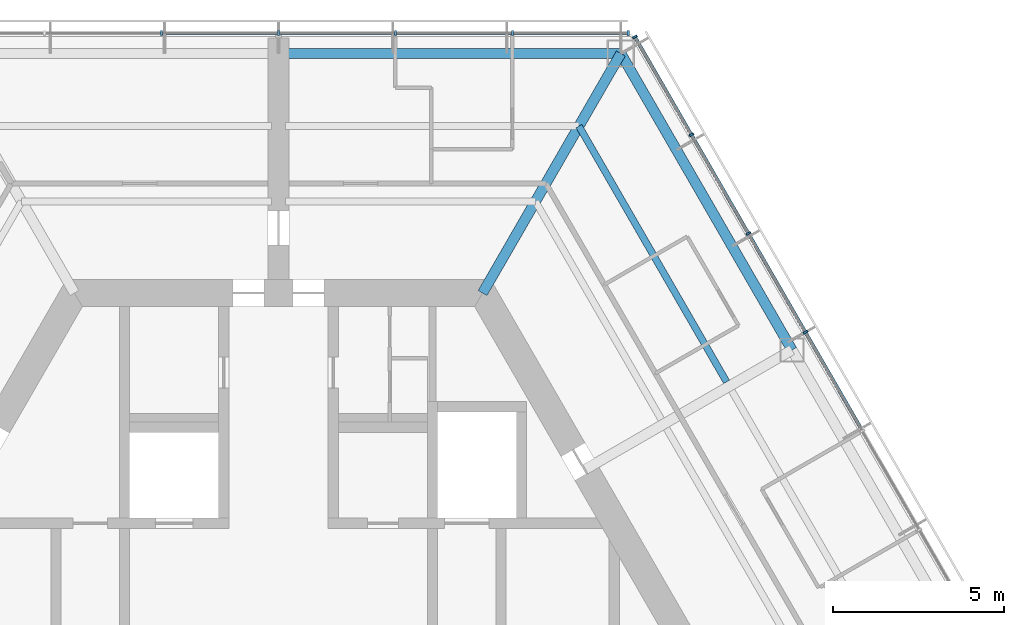
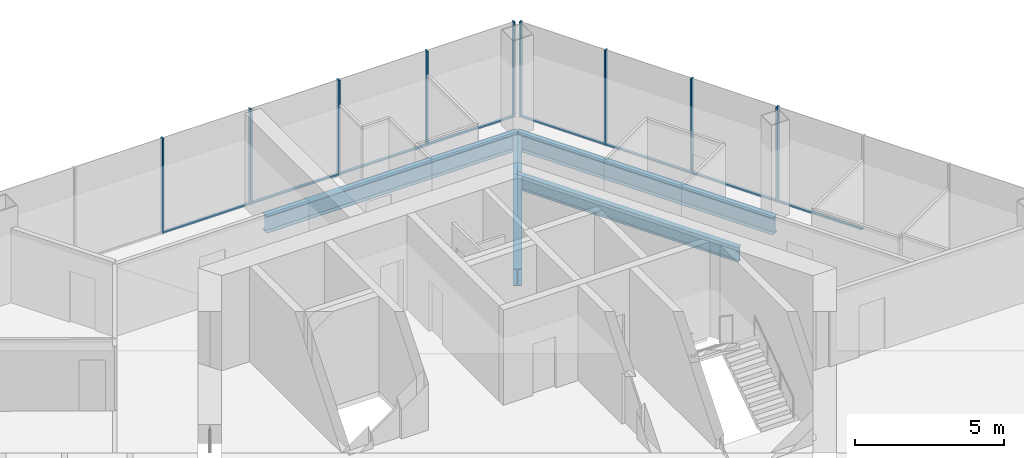
# One storey, part 7 of 17: 17 members, 4 beams, 2 elements without a shape of their own.
"""IFC4 building model written with IfcOpenShell, lengths in metres."""

from ifc_helpers import new_model, si_unit, direction, frame, origin, origin_2d, place, context, subcontext, project, spatial, rectangle, i_section, extrude, material, material_profile, profile_set, type_object, element, aggregate, save


model = new_model("IFC4")

# Units and contexts
model_context = context("Model", 3, precision=1e-05, world=origin(), true_north=direction((0.0, 1.0)))
body_context = subcontext(model_context, "Body", "Model", "MODEL_VIEW")
ifc_project = project(units=[si_unit("LENGTHUNIT", "METRE"), si_unit("AREAUNIT", "SQUARE_METRE"), si_unit("VOLUMEUNIT", "CUBIC_METRE"), si_unit("PLANEANGLEUNIT", "RADIAN"), si_unit("MASSUNIT", "GRAM", prefix="KILO")], contexts=[model_context])

# Site, building, storey
site_placement = place(None, origin())
site = spatial("IfcSite", under=ifc_project, at=site_placement, CompositionType="ELEMENT")
building_placement = place(site_placement, origin())
building = spatial("IfcBuilding", under=site, at=building_placement, Name="Kasaneha Research Tower", CompositionType="ELEMENT")
storey_placement = place(building_placement, frame((0.0, 0.0, 228.39990234375)))
storey = spatial("IfcBuildingStorey", under=building, at=storey_placement, Name="L57", CompositionType="ELEMENT", Elevation=228.39990234375)

# Beam
ifc_material_1 = material(Name="Steel SN490B", Category="steel")
ifc_material_profile_1 = material_profile(ifc_material_1, i_section(OverallWidth=0.199951171875, OverallDepth=0.60009765625, WebThickness=0.010986328125, FlangeThickness=0.01708984375, FilletRadius=0.012939453125, at=origin_2d()), Name="H-600x200x11x17")
ifc_profile_set_1 = profile_set([ifc_material_profile_1], Name="Steel SN490B")
beam_type_1 = type_object("IfcBeamType", Name="B1-3 secondary beam H-600x200x11x17", PredefinedType="JOIST", material=ifc_profile_set_1)
beam_1_placement = place(storey_placement, frame((8.775634765625, 15.199951171875, -0.449951171875), z_axis=(0.500017275495, -0.866015429543, 0.0), x_axis=(0.866015429543, 0.500017275495, 0.0)))
element("IfcBeam", 1, at=beam_1_placement, inside=storey, type_object=beam_type_1, Name="Secondary beam RS030R2 L57", PredefinedType="JOIST", context=body_context, shape_type="SweptSolid", body=[
    extrude(i_section(OverallWidth=0.199951171875, OverallDepth=0.60009765625, WebThickness=0.010986328125, FlangeThickness=0.01708984375, FilletRadius=0.012939453125, at=origin_2d()), origin(), (0.0, 0.0, 1.0), 8.625732421875),
])

# Curtain wall, members
ifc_material_2 = material(Name="Glass and aluminium", Category="aluminium")
curtain_wall_type = type_object("IfcCurtainWallType", Name="High-rise office curtain wall", PredefinedType="USERDEFINED", material=ifc_material_2)
curtain_wall_1_placement = place(storey_placement, origin())
curtain_wall_1 = element("IfcCurtainWall", 2, at=curtain_wall_1_placement, inside=storey, type_object=curtain_wall_type, Name="CW-O3 L57 run 01a", ObjectType="UNITISED CURTAIN WALL", PredefinedType="USERDEFINED")
ifc_material_3 = material(Name="Aluminium 6063-T6", Category="aluminium")
ifc_material_profile_2 = material_profile(ifc_material_3, rectangle(XDim=0.06005859375, YDim=0.139892578125, at=origin_2d()), Name="CW-O3 mullion 60x140")
ifc_profile_set_2 = profile_set([ifc_material_profile_2], Name="Aluminium 6063-T6")
member_type_1 = type_object("IfcMemberType", Name="CW-O3 mullion", PredefinedType="MULLION", material=ifc_profile_set_2)
member_1_placement = place(storey_placement, frame((15.392822265625, 9.179931640625, 0.0), z_axis=(0.0, 0.0, 1.0), x_axis=(-0.499999979232, 0.866025415775, 0.0)))
member_1 = element("IfcMember", 3, at=member_1_placement, type_object=member_type_1, Name="CW-O3 mullion 4", PredefinedType="MULLION", context=body_context, shape_type="SweptSolid", body=[
    extrude(rectangle(XDim=0.06005859375, YDim=0.139892578125, at=origin_2d()), origin(), (0.0, 0.0, 1.0), 3.900146484375),
])
member_2_placement = place(storey_placement, frame((13.727294921875, 12.064453125, 0.0), z_axis=(0.0, 0.0, 1.0), x_axis=(-0.499999979232, 0.866025415775, 0.0)))
member_2 = element("IfcMember", 4, at=member_2_placement, type_object=member_type_1, Name="CW-O3 mullion 5", PredefinedType="MULLION", context=body_context, shape_type="SweptSolid", body=[
    extrude(rectangle(XDim=0.06005859375, YDim=0.139892578125, at=origin_2d()), origin(), (0.0, 0.0, 1.0), 3.900146484375),
])
member_3_placement = place(storey_placement, frame((12.061767578125, 14.94921875, 0.0), z_axis=(0.0, 0.0, 1.0), x_axis=(-0.499999979232, 0.866025415775, 0.0)))
member_3 = element("IfcMember", 5, at=member_3_placement, type_object=member_type_1, Name="CW-O3 mullion 6", PredefinedType="MULLION", context=body_context, shape_type="SweptSolid", body=[
    extrude(rectangle(XDim=0.06005859375, YDim=0.139892578125, at=origin_2d()), origin(), (0.0, 0.0, 1.0), 3.900146484375),
])
member_4_placement = place(storey_placement, frame((10.411376953125, 17.807861328125, 0.0), z_axis=(0.0, 0.0, 1.0), x_axis=(-0.499999979232, 0.866025415775, 0.0)))
member_4 = element("IfcMember", 6, at=member_4_placement, type_object=member_type_1, Name="CW-O3 mullion 7", PredefinedType="MULLION", context=body_context, shape_type="SweptSolid", body=[
    extrude(rectangle(XDim=0.06005859375, YDim=0.139892578125, at=origin_2d()), origin(), (0.0, 0.0, 1.0), 3.900146484375),
])

curtain_wall_2_placement = place(storey_placement, origin())
curtain_wall_2 = element("IfcCurtainWall", 7, at=curtain_wall_2_placement, inside=storey, type_object=curtain_wall_type, Name="CW-O3 L57 run 02a", ObjectType="UNITISED CURTAIN WALL", PredefinedType="USERDEFINED")
member_5_placement = place(storey_placement, frame((10.21630859375, 17.92041015625, 0.0), z_axis=(0.0, 0.0, 1.0), x_axis=(-1.0, 0.0, 0.0)))
member_5 = element("IfcMember", 8, at=member_5_placement, type_object=member_type_1, Name="CW-O3 mullion 1", PredefinedType="MULLION", context=body_context, shape_type="SweptSolid", body=[
    extrude(rectangle(XDim=0.06005859375, YDim=0.139892578125, at=origin_2d()), origin(), (0.0, 0.0, 1.0), 3.900146484375),
])
member_6_placement = place(storey_placement, frame((6.8310546875, 17.92041015625, 0.0), z_axis=(0.0, 0.0, 1.0), x_axis=(-1.0, 0.0, 0.0)))
member_6 = element("IfcMember", 9, at=member_6_placement, type_object=member_type_1, Name="CW-O3 mullion 2", PredefinedType="MULLION", context=body_context, shape_type="SweptSolid", body=[
    extrude(rectangle(XDim=0.06005859375, YDim=0.139892578125, at=origin_2d()), origin(), (0.0, 0.0, 1.0), 3.900146484375),
])
member_7_placement = place(storey_placement, frame((3.41552734375, 17.92041015625, 0.0), z_axis=(0.0, 0.0, 1.0), x_axis=(-1.0, 0.0, 0.0)))
member_7 = element("IfcMember", 10, at=member_7_placement, type_object=member_type_1, Name="CW-O3 mullion 3", PredefinedType="MULLION", context=body_context, shape_type="SweptSolid", body=[
    extrude(rectangle(XDim=0.06005859375, YDim=0.139892578125, at=origin_2d()), origin(), (0.0, 0.0, 1.0), 3.900146484375),
])
member_8_placement = place(storey_placement, frame((0.0, 17.92041015625, 0.0), z_axis=(0.0, 0.0, 1.0), x_axis=(-1.0, 0.0, 0.0)))
member_8 = element("IfcMember", 11, at=member_8_placement, type_object=member_type_1, Name="CW-O3 mullion 4", PredefinedType="MULLION", context=body_context, shape_type="SweptSolid", body=[
    extrude(rectangle(XDim=0.06005859375, YDim=0.139892578125, at=origin_2d()), origin(), (0.0, 0.0, 1.0), 3.900146484375),
])
member_9_placement = place(storey_placement, frame((-3.41552734375, 17.92041015625, 0.0), z_axis=(0.0, 0.0, 1.0), x_axis=(-1.0, 0.0, 0.0)))
member_9 = element("IfcMember", 12, at=member_9_placement, type_object=member_type_1, Name="CW-O3 mullion 5", PredefinedType="MULLION", context=body_context, shape_type="SweptSolid", body=[
    extrude(rectangle(XDim=0.06005859375, YDim=0.139892578125, at=origin_2d()), origin(), (0.0, 0.0, 1.0), 3.900146484375),
])

# Member
ifc_material_4 = material(Name="Aluminium 6063-T6", Category="aluminium")
ifc_material_profile_3 = material_profile(ifc_material_4, rectangle(XDim=0.10009765625, YDim=0.06005859375, at=origin_2d()), Name="CW-O3 transom 100x60")
ifc_profile_set_3 = profile_set([ifc_material_profile_3], Name="Aluminium 6063-T6")
member_type_2 = type_object("IfcMemberType", Name="CW-O3 transom", PredefinedType="USERDEFINED", material=ifc_profile_set_3)
member_10_placement = place(storey_placement, frame((17.043212890625, 6.3212890625, 0.030029296875), z_axis=(-0.50003259116, 0.866006586452, 0.0), x_axis=(-0.866006586452, -0.50003259116, 0.0)))
member_10 = element("IfcMember", 13, at=member_10_placement, type_object=member_type_2, Name="CW-O3 transom 3", ObjectType="TRANSOM", PredefinedType="USERDEFINED", context=body_context, shape_type="SweptSolid", body=[
    extrude(rectangle(XDim=0.10009765625, YDim=0.06005859375, at=origin_2d()), origin(), (0.0, 0.0, 1.0), 3.270751953125),
])

member_11_placement = place(storey_placement, frame((15.3779296875, 9.205810546875, 0.030029296875), z_axis=(-0.500000270186, 0.866025247793, 0.0), x_axis=(-0.866025247793, -0.500000270186, 0.0)))
member_11 = element("IfcMember", 14, at=member_11_placement, type_object=member_type_2, Name="CW-O3 transom 4", ObjectType="TRANSOM", PredefinedType="USERDEFINED", context=body_context, shape_type="SweptSolid", body=[
    extrude(rectangle(XDim=0.10009765625, YDim=0.06005859375, at=origin_2d()), origin(), (0.0, 0.0, 1.0), 3.27099609375),
])

member_12_placement = place(storey_placement, frame((13.71240234375, 12.090576171875, 0.030029296875), z_axis=(-0.500000270186, 0.866025247793, 0.0), x_axis=(-0.866025247793, -0.500000270186, 0.0)))
member_12 = element("IfcMember", 15, at=member_12_placement, type_object=member_type_2, Name="CW-O3 transom 5", ObjectType="TRANSOM", PredefinedType="USERDEFINED", context=body_context, shape_type="SweptSolid", body=[
    extrude(rectangle(XDim=0.10009765625, YDim=0.06005859375, at=origin_2d()), origin(), (0.0, 0.0, 1.0), 3.27099609375),
])

member_13_placement = place(storey_placement, frame((12.046875, 14.97509765625, 0.030029296875), z_axis=(-0.499955025697, 0.866051368154, 0.0), x_axis=(-0.866051368154, -0.499955025697, 0.0)))
member_13 = element("IfcMember", 16, at=member_13_placement, type_object=member_type_2, Name="CW-O3 transom 6", ObjectType="TRANSOM", PredefinedType="USERDEFINED", context=body_context, shape_type="SweptSolid", body=[
    extrude(rectangle(XDim=0.10009765625, YDim=0.06005859375, at=origin_2d()), origin(), (0.0, 0.0, 1.0), 3.240966796875),
])

aggregate(curtain_wall_1, [member_1, member_2, member_3, member_4, member_10, member_11, member_12, member_13])

member_14_placement = place(storey_placement, frame((10.1865234375, 17.92041015625, 0.030029296875), z_axis=(-1.0, 0.0, 0.0), x_axis=(0.0, -1.0, 0.0)))
member_14 = element("IfcMember", 17, at=member_14_placement, type_object=member_type_2, Name="CW-O3 transom 1", ObjectType="TRANSOM", PredefinedType="USERDEFINED", context=body_context, shape_type="SweptSolid", body=[
    extrude(rectangle(XDim=0.10009765625, YDim=0.06005859375, at=origin_2d()), origin(), (0.0, 0.0, 1.0), 3.32568359375),
])

member_15_placement = place(storey_placement, frame((6.801025390625, 17.92041015625, 0.030029296875), z_axis=(-1.0, 0.0, 0.0), x_axis=(0.0, -1.0, 0.0)))
member_15 = element("IfcMember", 18, at=member_15_placement, type_object=member_type_2, Name="CW-O3 transom 2", ObjectType="TRANSOM", PredefinedType="USERDEFINED", context=body_context, shape_type="SweptSolid", body=[
    extrude(rectangle(XDim=0.10009765625, YDim=0.06005859375, at=origin_2d()), origin(), (0.0, 0.0, 1.0), 3.35546875),
])

member_16_placement = place(storey_placement, frame((3.385498046875, 17.92041015625, 0.030029296875), z_axis=(-1.0, 0.0, 0.0), x_axis=(0.0, -1.0, 0.0)))
member_16 = element("IfcMember", 19, at=member_16_placement, type_object=member_type_2, Name="CW-O3 transom 3", ObjectType="TRANSOM", PredefinedType="USERDEFINED", context=body_context, shape_type="SweptSolid", body=[
    extrude(rectangle(XDim=0.10009765625, YDim=0.06005859375, at=origin_2d()), origin(), (0.0, 0.0, 1.0), 3.35546875),
])

member_17_placement = place(storey_placement, frame((-0.030029296875, 17.92041015625, 0.030029296875), z_axis=(-1.0, 0.0, 0.0), x_axis=(0.0, -1.0, 0.0)))
member_17 = element("IfcMember", 20, at=member_17_placement, type_object=member_type_2, Name="CW-O3 transom 4", ObjectType="TRANSOM", PredefinedType="USERDEFINED", context=body_context, shape_type="SweptSolid", body=[
    extrude(rectangle(XDim=0.10009765625, YDim=0.06005859375, at=origin_2d()), origin(), (0.0, 0.0, 1.0), 3.35546875),
])

aggregate(curtain_wall_2, [member_5, member_6, member_7, member_8, member_9, member_14, member_15, member_16, member_17])

# Beams
ifc_material_5 = material(Name="Steel SN490B", Category="steel")
ifc_material_profile_4 = material_profile(ifc_material_5, i_section(OverallWidth=0.300048828125, OverallDepth=0.699951171875, WebThickness=0.012939453125, FlangeThickness=0.02392578125, FilletRadius=0.01806640625, at=origin_2d()), Name="H-700x300x13x24")
ifc_profile_set_4 = profile_set([ifc_material_profile_4], Name="Steel SN490B")
beam_type_2 = type_object("IfcBeamType", Name="G1-3 radial girder H-700x300x13x24", PredefinedType="BEAM", material=ifc_profile_set_4)
beam_2_placement = place(storey_placement, frame((5.961181640625, 10.324951171875, -0.5), z_axis=(0.49999105496, 0.866030568144, 0.0), x_axis=(-0.866030568144, 0.49999105496, 0.0)))
element("IfcBeam", 21, at=beam_2_placement, inside=storey, type_object=beam_type_2, Name="Radial girder RV060 L57", PredefinedType="BEAM", context=body_context, shape_type="SweptSolid", body=[
    extrude(i_section(OverallWidth=0.300048828125, OverallDepth=0.699951171875, WebThickness=0.012939453125, FlangeThickness=0.02392578125, FilletRadius=0.01806640625, at=origin_2d()), origin(), (0.0, 0.0, 1.0), 8.077880859375),
])
ifc_material_6 = material(Name="Steel SN490B", Category="steel")
ifc_material_profile_5 = material_profile(ifc_material_6, i_section(OverallWidth=0.300048828125, OverallDepth=0.69189453125, WebThickness=0.012939453125, FlangeThickness=0.02001953125, FilletRadius=0.01806640625, at=origin_2d()), Name="H-692x300x13x20")
ifc_profile_set_5 = profile_set([ifc_material_profile_5], Name="Steel SN490B")
beam_type_3 = type_object("IfcBeamType", Name="G3-3 plate edge girder H-692x300x13x20", PredefinedType="BEAM", material=ifc_profile_set_5)
beam_3_placement = place(storey_placement, frame((10.0, 17.320556640625, -0.495849609375), z_axis=(-1.0, 0.0, 0.0), x_axis=(0.0, -1.0, 0.0)))
element("IfcBeam", 22, at=beam_3_placement, inside=storey, type_object=beam_type_3, Name="Plate edge girder PEAP L57", PredefinedType="BEAM", context=body_context, shape_type="SweptSolid", body=[
    extrude(i_section(OverallWidth=0.300048828125, OverallDepth=0.69189453125, WebThickness=0.012939453125, FlangeThickness=0.02001953125, FilletRadius=0.01806640625, at=origin_2d()), origin(), (0.0, 0.0, 1.0), 9.800048828125),
])
ifc_material_7 = material(Name="Steel SN490B", Category="steel")
ifc_material_profile_6 = material_profile(ifc_material_7, i_section(OverallWidth=0.300048828125, OverallDepth=0.69189453125, WebThickness=0.012939453125, FlangeThickness=0.02001953125, FilletRadius=0.01806640625, at=origin_2d()), Name="H-692x300x13x20")
ifc_profile_set_6 = profile_set([ifc_material_profile_6], Name="Steel SN490B")
beam_type_4 = type_object("IfcBeamType", Name="SB1-3 spandrel beam H-692x300x13x20", PredefinedType="SPANDREL", material=ifc_profile_set_6)
beam_4_placement = place(storey_placement, frame((10.0, 17.320556640625, -0.495849609375), z_axis=(0.499993662806, -0.866029062534, 0.0), x_axis=(0.866029062534, 0.499993662806, 0.0)))
element("IfcBeam", 23, at=beam_4_placement, inside=storey, type_object=beam_type_4, Name="Spandrel beam SR030R L57", PredefinedType="SPANDREL", context=body_context, shape_type="SweptSolid", body=[
    extrude(i_section(OverallWidth=0.300048828125, OverallDepth=0.69189453125, WebThickness=0.012939453125, FlangeThickness=0.02001953125, FilletRadius=0.01806640625, at=origin_2d()), origin(), (0.0, 0.0, 1.0), 10.000244140625),
])

save(model, "model.ifc")
